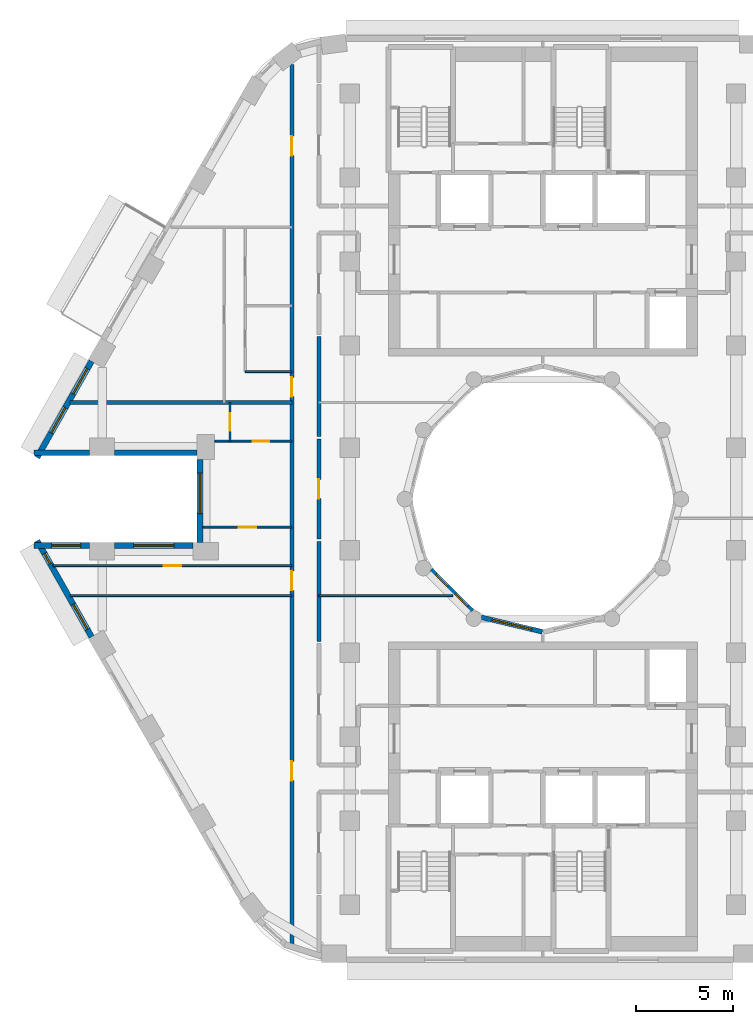
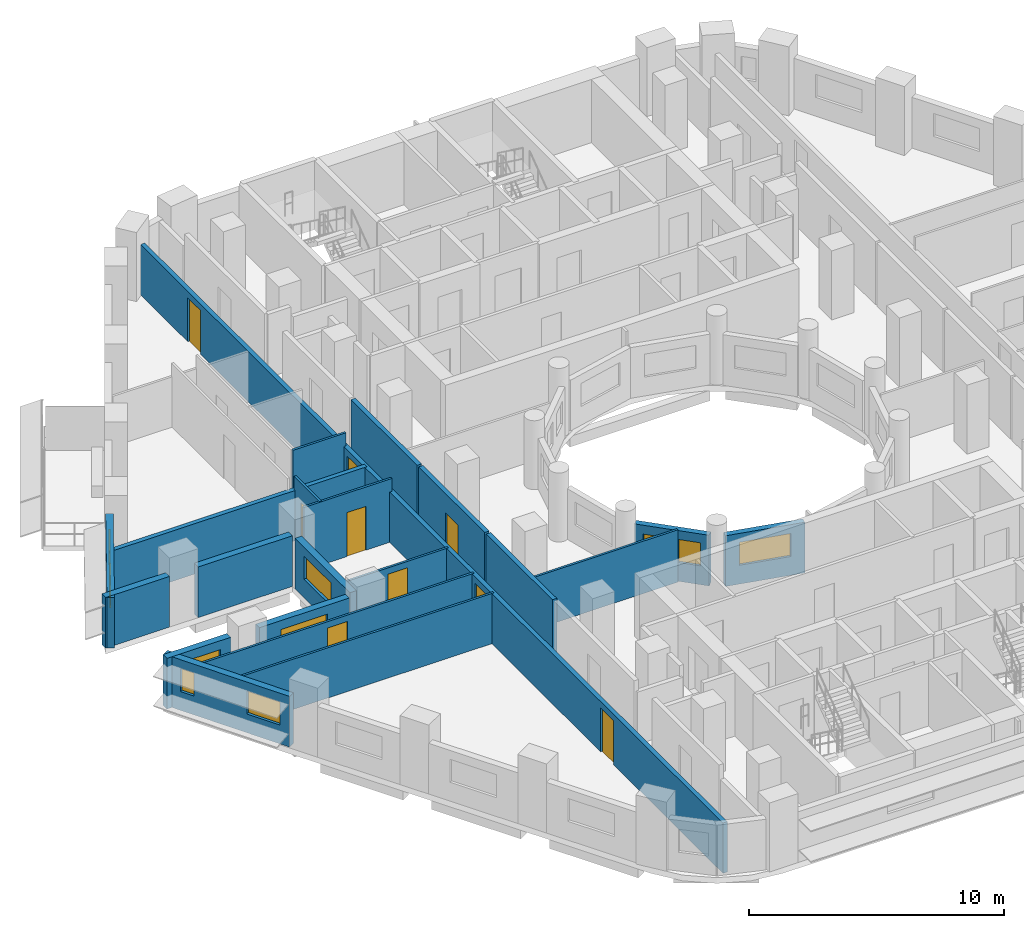
# One storey, part 4 of 13: 21 walls, 10 windows, 9 doors, 19 openings.
"""IFC4 building model written with IfcOpenShell, lengths in metres."""

import ifcopenshell
import ifcopenshell.guid

model = None  # the IFC model being written
_history = None  # IfcOwnerHistory: only IFC2X3 demands one
_inside = {}  # id of a spatial element -> (the spatial element, [elements in it])
_under = {}  # id of a project, library or spatial element -> (it, [spatial elements below it])
_declared = {}  # id of a project -> (the project, [libraries it declares])
_typed = {}  # id of a type object -> (the type object, [elements of that type])
_made_of = {}  # id of a material, layer set ... -> (it, [elements and type objects made of it])


def new_model(schema):
    """Start an empty IFC model of exactly this schema.

    Asked for "IFC4X3", IfcOpenShell would pick the latest addendum, in which some entities
    have other attributes; the version numbers below select the first issue.
    IFC2X3 requires an IfcOwnerHistory on every rooted entity: one is made here for all.
    """
    global model, _history
    if schema == "IFC4X3":
        model = ifcopenshell.file(schema_version=(4, 3, 0, 0))
    else:
        model = ifcopenshell.file(schema=schema)
    _inside.clear()
    _under.clear()
    _declared.clear()
    _typed.clear()
    _made_of.clear()
    _history = None
    if model.schema == "IFC2X3":
        org = make("IfcOrganization", Name="unknown")
        user = make(
            "IfcPersonAndOrganization",
            ThePerson=make("IfcPerson", FamilyName="unknown"),
            TheOrganization=org,
        )
        app = make(
            "IfcApplication",
            ApplicationDeveloper=org,
            Version="unknown",
            ApplicationFullName="unknown",
            ApplicationIdentifier="unknown",
        )
        _history = make(
            "IfcOwnerHistory",
            OwningUser=user,
            OwningApplication=app,
            ChangeAction="ADDED",
            CreationDate=0,
        )
    return model


def make(cls, **values):
    """One entity of the class cls with the attributes given. An attribute that is None is left unset."""
    return model.create_entity(
        cls, **{name: value for name, value in values.items() if value is not None}
    )


def rooted(cls, **values):
    """An entity with a GlobalId (a new one), such as an element, a storey or a relation."""
    return make(cls, GlobalId=ifcopenshell.guid.new(), OwnerHistory=_history, **values)


def si_unit(unit_type, name, prefix=None):
    """IfcSIUnit, for example si_unit("LENGTHUNIT", "METRE", prefix="MILLI")."""
    return make("IfcSIUnit", UnitType=unit_type, Prefix=prefix, Name=name)


def assignment(units):
    """IfcUnitAssignment: the units of a project."""
    return None if units is None else make("IfcUnitAssignment", Units=units)


def point(xyz):
    """IfcCartesianPoint."""
    return None if xyz is None else make("IfcCartesianPoint", Coordinates=xyz)


def direction(xyz):
    """IfcDirection."""
    return None if xyz is None else make("IfcDirection", DirectionRatios=xyz)


def frame(location, z_axis=None, x_axis=None):
    """IfcAxis2Placement3D, a coordinate frame: its origin and axes. An axis left out is left unset."""
    return make(
        "IfcAxis2Placement3D",
        Location=point(location),
        Axis=direction(z_axis),
        RefDirection=direction(x_axis),
    )


def frame_2d(location, x_axis=None):
    """IfcAxis2Placement2D, a coordinate frame in the plane: its origin and x axis."""
    return make(
        "IfcAxis2Placement2D", Location=point(location), RefDirection=direction(x_axis)
    )


def origin():
    """The frame at (0, 0, 0) with its axes left unset."""
    return frame((0.0, 0.0, 0.0))


def place(relative_to, where):
    """IfcLocalPlacement: puts the frame where relative to a parent placement (None: the world)."""
    return make(
        "IfcLocalPlacement", PlacementRelTo=relative_to, RelativePlacement=where
    )


def context(
    kind, dimensions, precision=None, world=None, true_north=None, identifier=None
):
    """IfcGeometricRepresentationContext, for example the 3D "Model" context."""
    return make(
        "IfcGeometricRepresentationContext",
        ContextIdentifier=identifier,
        ContextType=kind,
        CoordinateSpaceDimension=dimensions,
        Precision=precision,
        WorldCoordinateSystem=world,
        TrueNorth=true_north,
    )


def subcontext(parent, identifier, kind, view, scale=None):
    """IfcGeometricRepresentationSubContext, for example "Body" below "Model"."""
    return make(
        "IfcGeometricRepresentationSubContext",
        ContextIdentifier=identifier,
        ContextType=kind,
        ParentContext=parent,
        TargetScale=scale,
        TargetView=view,
    )


def project(units=None, contexts=None):
    """IfcProject with its units and contexts."""
    return rooted(
        "IfcProject",
        Name="project",
        RepresentationContexts=contexts,
        UnitsInContext=assignment(units),
    )


def spatial(cls, under=None, at=None, **own):
    """A site, building, storey or space (cls), placed at a placement, below another one or the project."""
    s = rooted(cls, ObjectPlacement=at, **own)
    if under is not None:
        _under.setdefault(under.id(), (under, []))[1].append(s)
    return s


def profile(cls, at=None, kind="AREA", **sizes):
    """A parametric profile (cls). Its sizes go by their IFC names, for example OverallWidth=200.0."""
    return make(cls, ProfileType=kind, Position=at, **sizes)


def rectangle(**sizes):
    """IfcRectangleProfileDef."""
    return profile("IfcRectangleProfileDef", **sizes)


def extrude(swept, where, along, depth):
    """IfcExtrudedAreaSolid: the profile swept, set in the frame where, extruded along a direction by depth."""
    return make(
        "IfcExtrudedAreaSolid",
        SweptArea=swept,
        Position=where,
        ExtrudedDirection=direction(along),
        Depth=depth,
    )


def shape(context_of_items, identifier, shape_type, items):
    """IfcShapeRepresentation: the items that make up one representation, for example the "Body"."""
    return make(
        "IfcShapeRepresentation",
        ContextOfItems=context_of_items,
        RepresentationIdentifier=identifier,
        RepresentationType=shape_type,
        Items=items,
    )


def material(Name=None, Category=None):
    """IfcMaterial."""
    return make("IfcMaterial", Name=Name, Category=Category)


def layer(
    of_material, thickness, ventilated=None, Name=None, Category=None, Priority=None
):
    """IfcMaterialLayer: one layer of a wall or slab, of a material (None: an air gap)."""
    return make(
        "IfcMaterialLayer",
        Material=of_material,
        LayerThickness=thickness,
        IsVentilated=ventilated,
        Name=Name,
        Category=Category,
        Priority=Priority,
    )


def layer_set(layers, Name=None):
    """IfcMaterialLayerSet."""
    return make("IfcMaterialLayerSet", MaterialLayers=layers, LayerSetName=Name)


def made_of(thing, what):
    """Note that an element or type object is made of a material, layer set ...; save() writes the relation."""
    if what is not None:
        _made_of.setdefault(what.id(), (what, []))[1].append(thing)
    return thing


def type_object(cls, material=None, **own):
    """A type object (cls), such as IfcWallType, which elements share."""
    return made_of(rooted(cls, **own), material)


def element(
    cls,
    number,
    at=None,
    inside=None,
    cuts=None,
    type_object=None,
    material=None,
    context=None,
    identifier="Body",
    shape_type=None,
    held_by="IfcProductDefinitionShape",
    body=None,
    shapes=None,
    **own,
):
    """One element of the class cls, such as IfcWall. Its Tag is "e" and its number.

    at: its placement. inside: the storey or other place that contains it. cuts: it is an
    opening in that element (IfcRelVoidsElement). A single representation is given by context,
    identifier, shape_type and body (its items); several are given by shapes. held_by: the class
    of the entity that holds the representations. save() writes the other relations.
    """
    e = rooted(cls, Tag="e%d" % number, ObjectPlacement=at, **own)
    if body is not None:
        shapes = [shape(context, identifier, shape_type, body)]
    if shapes is not None:
        e.Representation = make(held_by, Representations=shapes)
    if inside is not None:
        _inside.setdefault(inside.id(), (inside, []))[1].append(e)
    if cuts is not None:
        rooted(
            "IfcRelVoidsElement", RelatingBuildingElement=cuts, RelatedOpeningElement=e
        )
    if type_object is not None:
        _typed.setdefault(type_object.id(), (type_object, []))[1].append(e)
    return made_of(e, material)


def fill(opening, filler):
    """IfcRelFillsElement: the door or window that sits in an opening."""
    return rooted(
        "IfcRelFillsElement",
        RelatingOpeningElement=opening,
        RelatedBuildingElement=filler,
    )


def aggregate(whole, parts):
    """IfcRelAggregates: a whole, such as a stair, and the parts it consists of."""
    return rooted("IfcRelAggregates", RelatingObject=whole, RelatedObjects=parts)


def save(model, path):
    """Write the relations noted so far, then the file.

    IfcRelAggregates (storeys below a building ...), IfcRelContainedInSpatialStructure (elements
    in a storey), IfcRelDefinesByType, IfcRelAssociatesMaterial and IfcRelDeclares: one each for
    every whole, place, type object, material and project.
    """
    for whole, parts in _under.values():
        aggregate(whole, parts)
    for where, things in _inside.values():
        rooted(
            "IfcRelContainedInSpatialStructure",
            RelatedElements=things,
            RelatingStructure=where,
        )
    for kind, things in _typed.values():
        rooted("IfcRelDefinesByType", RelatedObjects=things, RelatingType=kind)
    for what, things in _made_of.values():
        rooted("IfcRelAssociatesMaterial", RelatedObjects=things, RelatingMaterial=what)
    for by, libraries in _declared.values():
        rooted("IfcRelDeclares", RelatingContext=by, RelatedDefinitions=libraries)
    model.write(path)


model = new_model("IFC4")

# Units and contexts
model_context = context("Model", 3, precision=1e-05, world=origin(), true_north=direction((0.0, 1.0)))
body_context = subcontext(model_context, "Body", "Model", "MODEL_VIEW")
ifc_project = project(units=[si_unit("LENGTHUNIT", "METRE"), si_unit("AREAUNIT", "SQUARE_METRE"), si_unit("VOLUMEUNIT", "CUBIC_METRE"), si_unit("PLANEANGLEUNIT", "RADIAN"), si_unit("MASSUNIT", "GRAM", prefix="KILO")], contexts=[model_context])

# Site, building, storey
site_placement = place(None, origin())
site = spatial("IfcSite", under=ifc_project, at=site_placement, CompositionType="ELEMENT")
building_placement = place(site_placement, origin())
building = spatial("IfcBuilding", under=site, at=building_placement, Name="Nakaniwa Court", CompositionType="ELEMENT")
storey_placement = place(building_placement, frame((0.0, 0.0, 156.89990234375)))
storey = spatial("IfcBuildingStorey", under=building, at=storey_placement, Name="L41", CompositionType="ELEMENT", Elevation=156.89990234375)

# Wall
ifc_material_1 = material(Name="Acoustic double stud partition")
ifc_layer_1 = layer(ifc_material_1, 0.199951171875)
ifc_layer_set_1 = layer_set([ifc_layer_1], Name="Acoustic double stud partition")
wall_type_1 = type_object("IfcWallType", Name="Acoustic double stud partition 200", PredefinedType="PARTITIONING", material=ifc_layer_set_1)
wall_1_placement = place(storey_placement, frame((68.39990234375, 72.627197265625, 0.0), z_axis=(0.0, 0.0, 1.0), x_axis=(0.0, 1.0, 0.0)))
element("IfcWall", 1, at=wall_1_placement, inside=storey, type_object=wall_type_1, Name="Partition PW-100", PredefinedType="PARTITIONING", context=body_context, shape_type="SweptSolid", body=[
    extrude(rectangle(XDim=5.185546875, YDim=0.199951171875, at=frame_2d((2.5927734375, 0.0))), origin(), (0.0, 0.0, 1.0), 3.025146484375),
])

# Wall, opening, door
wall_2_placement = place(storey_placement, frame((68.39990234375, 83.11279296875, 0.0), z_axis=(0.0, 0.0, 1.0), x_axis=(0.0, -1.0, 0.0)))
wall_2 = element("IfcWall", 2, at=wall_2_placement, inside=storey, type_object=wall_type_1, Name="Partition PW-101", PredefinedType="PARTITIONING", context=body_context, shape_type="SweptSolid", body=[
    extrude(rectangle(XDim=5.185546875, YDim=0.199951171875, at=frame_2d((2.5927734375, 0.0))), origin(), (0.0, 0.0, 1.0), 3.025146484375),
])
opening_1_placement = place(wall_2_placement, frame((2.093017578125, 0.0, 0.0)))
opening_1 = element("IfcOpeningElement", 3, at=opening_1_placement, cuts=wall_2, Name="Opening D-02-08", PredefinedType="OPENING", context=body_context, shape_type="SweptSolid", body=[
    extrude(rectangle(XDim=1.0, YDim=2.10009765625, at=frame_2d((0.5, 1.050048828125))), frame((0.0, 0.10986328125, 0.0), z_axis=(0.0, -1.0, 0.0), x_axis=(1.0, 0.0, 0.0)), (0.0, 0.0, 1.0), 0.219970703125),
])
ifc_material_2 = material(Name="Solid core timber door set, black veneer", Category="wood")
door_type_1 = type_object("IfcDoorType", Name="Internal door 1000", OperationType="NOTDEFINED", PredefinedType="DOOR", material=ifc_material_2)
door_1_placement = place(opening_1_placement, origin())
door_1 = element("IfcDoor", 4, at=door_1_placement, inside=storey, type_object=door_type_1, Name="Door D-02-08 L41-039", OperationType="SINGLE_SWING_RIGHT", OverallHeight=2.10009765625, OverallWidth=1.0, PredefinedType="DOOR", context=body_context, shape_type="SweptSolid", body=[
    extrude(rectangle(XDim=1.0, YDim=2.10009765625, at=frame_2d((0.5, 1.050048828125))), frame((0.0, 0.02490234375, 0.0), z_axis=(0.0, -1.0, 0.0), x_axis=(1.0, 0.0, 0.0)), (0.0, 0.0, 1.0), 0.050048828125),
])
fill(opening_1, door_1)

# Wall
wall_3_placement = place(storey_placement, frame((68.39990234375, 83.227294921875, 0.0), z_axis=(0.0, 0.0, 1.0), x_axis=(0.0, 1.0, 0.0)))
element("IfcWall", 5, at=wall_3_placement, inside=storey, type_object=wall_type_1, Name="Partition PW-102", PredefinedType="PARTITIONING", context=body_context, shape_type="SweptSolid", body=[
    extrude(rectangle(XDim=5.185546875, YDim=0.199951171875, at=frame_2d((2.5927734375, 0.0))), origin(), (0.0, 0.0, 1.0), 3.025146484375),
])

# Wall, openings, doors
wall_4_placement = place(storey_placement, frame((67.0, 56.833251953125, 0.0), z_axis=(0.0, 0.0, 1.0), x_axis=(0.0, 1.0, 0.0)))
wall_4 = element("IfcWall", 6, at=wall_4_placement, inside=storey, type_object=wall_type_1, Name="Partition PW-106", PredefinedType="PARTITIONING", context=body_context, shape_type="SweptSolid", body=[
    extrude(rectangle(XDim=45.660888671875, YDim=0.199951171875, at=frame_2d((22.83056640625, 0.0))), origin(), (0.0, 0.0, 1.0), 2.405029296875),
])
opening_2_placement = place(wall_4_placement, frame((8.583984375, 0.0, 0.0)))
opening_2 = element("IfcOpeningElement", 7, at=opening_2_placement, cuts=wall_4, Name="Opening D-02-06", PredefinedType="OPENING", context=body_context, shape_type="SweptSolid", body=[
    extrude(rectangle(XDim=1.0, YDim=2.10009765625, at=frame_2d((0.5, 1.050048828125))), frame((0.0, 0.10986328125, 0.0), z_axis=(0.0, -1.0, 0.0), x_axis=(1.0, 0.0, 0.0)), (0.0, 0.0, 1.0), 0.219970703125),
])
opening_3_placement = place(wall_4_placement, frame((18.44189453125, 0.0, 0.0)))
opening_3 = element("IfcOpeningElement", 8, at=opening_3_placement, cuts=wall_4, Name="Opening D-01-02", PredefinedType="OPENING", context=body_context, shape_type="SweptSolid", body=[
    extrude(rectangle(XDim=1.0, YDim=2.10009765625, at=frame_2d((0.5, 1.050048828125))), frame((0.0, 0.10986328125, 0.0), z_axis=(0.0, -1.0, 0.0), x_axis=(1.0, 0.0, 0.0)), (0.0, 0.0, 1.0), 0.219970703125),
])
opening_4_placement = place(wall_4_placement, frame((28.467041015625, 0.0, 0.0)))
opening_4 = element("IfcOpeningElement", 9, at=opening_4_placement, cuts=wall_4, Name="Opening D-01-03", PredefinedType="OPENING", context=body_context, shape_type="SweptSolid", body=[
    extrude(rectangle(XDim=1.0, YDim=2.10009765625, at=frame_2d((0.5, 1.050048828125))), frame((0.0, 0.10986328125, 0.0), z_axis=(0.0, -1.0, 0.0), x_axis=(1.0, 0.0, 0.0)), (0.0, 0.0, 1.0), 0.219970703125),
])
opening_5_placement = place(wall_4_placement, frame((40.952880859375, 0.0, 0.0)))
opening_5 = element("IfcOpeningElement", 10, at=opening_5_placement, cuts=wall_4, Name="Opening D-02-13", PredefinedType="OPENING", context=body_context, shape_type="SweptSolid", body=[
    extrude(rectangle(XDim=1.0, YDim=2.10009765625, at=frame_2d((0.5, 1.050048828125))), frame((0.0, 0.10986328125, 0.0), z_axis=(0.0, -1.0, 0.0), x_axis=(1.0, 0.0, 0.0)), (0.0, 0.0, 1.0), 0.219970703125),
])
door_type_2 = type_object("IfcDoorType", Name="Flat entrance door 1000", OperationType="NOTDEFINED", PredefinedType="DOOR", material=ifc_material_2)
door_2_placement = place(opening_3_placement, origin())
door_2 = element("IfcDoor", 11, at=door_2_placement, inside=storey, type_object=door_type_2, Name="Door D-01-02 L41-034", OperationType="SINGLE_SWING_LEFT", OverallHeight=2.10009765625, OverallWidth=1.0, PredefinedType="DOOR", context=body_context, shape_type="SweptSolid", body=[
    extrude(rectangle(XDim=1.0, YDim=2.10009765625, at=frame_2d((0.5, 1.050048828125))), frame((0.0, 0.02490234375, 0.0), z_axis=(0.0, -1.0, 0.0), x_axis=(1.0, 0.0, 0.0)), (0.0, 0.0, 1.0), 0.050048828125),
])
fill(opening_3, door_2)
door_3_placement = place(opening_4_placement, origin())
door_3 = element("IfcDoor", 12, at=door_3_placement, inside=storey, type_object=door_type_2, Name="Door D-01-03 L41-041", OperationType="SINGLE_SWING_RIGHT", OverallHeight=2.10009765625, OverallWidth=1.0, PredefinedType="DOOR", context=body_context, shape_type="SweptSolid", body=[
    extrude(rectangle(XDim=1.0, YDim=2.10009765625, at=frame_2d((0.5, 1.050048828125))), frame((0.0, 0.02490234375, 0.0), z_axis=(0.0, -1.0, 0.0), x_axis=(1.0, 0.0, 0.0)), (0.0, 0.0, 1.0), 0.050048828125),
])
fill(opening_4, door_3)
door_4_placement = place(opening_2_placement, origin())
door_4 = element("IfcDoor", 13, at=door_4_placement, inside=storey, type_object=door_type_1, Name="Door D-02-06 L41-032", OperationType="SINGLE_SWING_LEFT", OverallHeight=2.10009765625, OverallWidth=1.0, PredefinedType="DOOR", context=body_context, shape_type="SweptSolid", body=[
    extrude(rectangle(XDim=1.0, YDim=2.10009765625, at=frame_2d((0.5, 1.050048828125))), frame((0.0, 0.02490234375, 0.0), z_axis=(0.0, -1.0, 0.0), x_axis=(1.0, 0.0, 0.0)), (0.0, 0.0, 1.0), 0.050048828125),
])
fill(opening_2, door_4)
door_5_placement = place(opening_5_placement, origin())
door_5 = element("IfcDoor", 14, at=door_5_placement, inside=storey, type_object=door_type_1, Name="Door D-02-13 L41-048", OperationType="SINGLE_SWING_LEFT", OverallHeight=2.10009765625, OverallWidth=1.0, PredefinedType="DOOR", context=body_context, shape_type="SweptSolid", body=[
    extrude(rectangle(XDim=1.0, YDim=2.10009765625, at=frame_2d((0.5, 1.050048828125))), frame((0.0, 0.02490234375, 0.0), z_axis=(0.0, -1.0, 0.0), x_axis=(1.0, 0.0, 0.0)), (0.0, 0.0, 1.0), 0.050048828125),
])
fill(opening_5, door_5)

# Wall
wall_5_placement = place(storey_placement, frame((55.5205078125, 85.0, 0.0), z_axis=(0.0, 0.0, 1.0), x_axis=(1.0, 0.0, 0.0)))
element("IfcWall", 15, at=wall_5_placement, inside=storey, type_object=wall_type_1, Name="Partition PW-127", PredefinedType="PARTITIONING", context=body_context, shape_type="SweptSolid", body=[
    extrude(rectangle(XDim=11.478515625, YDim=0.199951171875, at=frame_2d((5.7392578125, 0.0))), origin(), (0.0, 0.0, 1.0), 2.405029296875),
])

# Wall, openings, windows
ifc_material_3 = material(Name="Charcoal ceramic cladding")
ifc_layer_2 = layer(ifc_material_3, 0.02, Name="Ceramic cladding")
ifc_material_4 = material(Name="Ventilated air cavity")
ifc_layer_3 = layer(ifc_material_4, 0.04, ventilated=True, Name="Ventilated cavity")
ifc_material_5 = material(Name="Mineral wool insulation")
ifc_layer_4 = layer(ifc_material_5, 0.1, Name="Insulation")
ifc_material_6 = material(Name="Cement bonded sheathing board")
ifc_layer_5 = layer(ifc_material_6, 0.012, Name="Sheathing")
ifc_material_7 = material(Name="Cold-formed galvanised stud frame with mineral wool infill")
ifc_layer_6 = layer(ifc_material_7, 0.1, Name="Stud frame")
ifc_material_8 = material(Name="Fire-rated gypsum plasterboard lining")
ifc_layer_7 = layer(ifc_material_8, 0.028, Name="Lining")
ifc_layer_set_2 = layer_set([ifc_layer_2, ifc_layer_3, ifc_layer_4, ifc_layer_5, ifc_layer_6, ifc_layer_7], Name="Charcoal ceramic faced external wall system")
wall_type_2 = type_object("IfcWallType", Name="Black ceramic faced external wall 300", PredefinedType="SOLIDWALL", material=ifc_layer_set_2)
wall_6_placement = place(storey_placement, frame((56.63427734375, 87.13720703125, 0.0), z_axis=(0.0, 0.0, 1.0), x_axis=(-0.492498306264, -0.87031340236, 0.0)))
wall_6 = element("IfcWall", 16, at=wall_6_placement, inside=storey, type_object=wall_type_2, Name="L41 external wall 14", PredefinedType="SOLIDWALL", context=body_context, shape_type="SweptSolid", body=[
    extrude(rectangle(XDim=5.7265625, YDim=0.300048828125, at=frame_2d((2.86328125, 0.0))), origin(), (0.0, 0.0, 1.0), 2.425048828125),
])
opening_6_placement = place(wall_6_placement, frame((0.4423828125, 0.0, 0.89990234375)))
opening_6 = element("IfcOpeningElement", 17, at=opening_6_placement, cuts=wall_6, Name="Opening W5.14", PredefinedType="OPENING", context=body_context, shape_type="SweptSolid", body=[
    extrude(rectangle(XDim=1.5, YDim=1.10009765625, at=frame_2d((0.75, 0.550048828125))), frame((0.0, 0.159912109375, 0.0), z_axis=(0.0, -1.0, 0.0), x_axis=(1.0, 0.0, 0.0)), (0.0, 0.0, 1.0), 0.320068359375),
])
opening_7_placement = place(wall_6_placement, frame((2.759033203125, 0.0, 0.89990234375)))
opening_7 = element("IfcOpeningElement", 18, at=opening_7_placement, cuts=wall_6, Name="Opening W5.15", PredefinedType="OPENING", context=body_context, shape_type="SweptSolid", body=[
    extrude(rectangle(XDim=1.5, YDim=1.10009765625, at=frame_2d((0.75, 0.550048828125))), frame((0.0, 0.159912109375, 0.0), z_axis=(0.0, -1.0, 0.0), x_axis=(1.0, 0.0, 0.0)), (0.0, 0.0, 1.0), 0.320068359375),
])
ifc_material_9 = material(Name="Black anodised aluminium frame with dark low-E laminated double glazing", Category="aluminium")
window_type_1 = type_object("IfcWindowType", Name="Dark glass window 1500x1100 sill 900", PartitioningType="SINGLE_PANEL", PredefinedType="WINDOW", material=ifc_material_9)
window_1_placement = place(opening_6_placement, origin())
window_1 = element("IfcWindow", 19, at=window_1_placement, inside=storey, type_object=window_type_1, Name="L41 living window 14-0", OverallHeight=1.10009765625, OverallWidth=1.5, PartitioningType="SINGLE_PANEL", PredefinedType="WINDOW", context=body_context, shape_type="SweptSolid", body=[
    extrude(rectangle(XDim=1.5, YDim=1.10009765625, at=frame_2d((0.75, 0.550048828125))), frame((0.0, 0.030029296875, 0.0), z_axis=(0.0, -1.0, 0.0), x_axis=(1.0, 0.0, 0.0)), (0.0, 0.0, 1.0), 0.06005859375),
])
fill(opening_6, window_1)
window_2_placement = place(opening_7_placement, origin())
window_2 = element("IfcWindow", 20, at=window_2_placement, inside=storey, type_object=window_type_1, Name="L41 habitable room window 14-1", OverallHeight=1.10009765625, OverallWidth=1.5, PartitioningType="SINGLE_PANEL", PredefinedType="WINDOW", context=body_context, shape_type="SweptSolid", body=[
    extrude(rectangle(XDim=1.5, YDim=1.10009765625, at=frame_2d((0.75, 0.550048828125))), frame((0.0, 0.030029296875, 0.0), z_axis=(0.0, -1.0, 0.0), x_axis=(1.0, 0.0, 0.0)), (0.0, 0.0, 1.0), 0.06005859375),
])
fill(opening_7, window_2)

# Walls
wall_7_placement = place(storey_placement, frame((53.643310546875, 82.39990234375, 0.0), z_axis=(0.0, 0.0, 1.0), x_axis=(1.0, 0.0, 0.0)))
element("IfcWall", 21, at=wall_7_placement, inside=storey, type_object=wall_type_2, Name="L41 external wall 15", PredefinedType="SOLIDWALL", context=body_context, shape_type="SweptSolid", body=[
    extrude(rectangle(XDim=2.8876953125, YDim=0.300048828125, at=frame_2d((1.44384765625, 0.0))), origin(), (0.0, 0.0, 1.0), 2.425048828125),
])
wall_8_placement = place(storey_placement, frame((57.822998046875, 82.39990234375, 0.0), z_axis=(0.0, 0.0, 1.0), x_axis=(1.0, 0.0, 0.0)))
element("IfcWall", 22, at=wall_8_placement, inside=storey, type_object=wall_type_2, Name="L41 external wall 16", PredefinedType="SOLIDWALL", context=body_context, shape_type="SweptSolid", body=[
    extrude(rectangle(XDim=4.272705078125, YDim=0.300048828125, at=frame_2d((2.13623046875, 0.0))), origin(), (0.0, 0.0, 1.0), 2.425048828125),
])

# Wall, opening, window
wall_9_placement = place(storey_placement, frame((62.24169921875, 82.053955078125, 0.0), z_axis=(0.0, 0.0, 1.0), x_axis=(0.0, -1.0, 0.0)))
wall_9 = element("IfcWall", 23, at=wall_9_placement, inside=storey, type_object=wall_type_2, Name="L41 external wall 17", PredefinedType="SOLIDWALL", context=body_context, shape_type="SweptSolid", body=[
    extrude(rectangle(XDim=4.307861328125, YDim=0.300048828125, at=frame_2d((2.15380859375, 0.0))), origin(), (0.0, 0.0, 1.0), 2.425048828125),
])
opening_8_placement = place(wall_9_placement, frame((0.71337890625, 0.0, 0.89990234375)))
opening_8 = element("IfcOpeningElement", 24, at=opening_8_placement, cuts=wall_9, Name="Opening W7.16", PredefinedType="OPENING", context=body_context, shape_type="SweptSolid", body=[
    extrude(rectangle(XDim=2.10009765625, YDim=1.10009765625, at=frame_2d((1.050048828125, 0.550048828125))), frame((0.0, 0.159912109375, 0.0), z_axis=(0.0, -1.0, 0.0), x_axis=(1.0, 0.0, 0.0)), (0.0, 0.0, 1.0), 0.320068359375),
])
window_type_2 = type_object("IfcWindowType", Name="Dark glass window 2100x1100 sill 900", PartitioningType="SINGLE_PANEL", PredefinedType="WINDOW", material=ifc_material_9)
window_3_placement = place(opening_8_placement, origin())
window_3 = element("IfcWindow", 25, at=window_3_placement, inside=storey, type_object=window_type_2, Name="L41 living window 17-0", OverallHeight=1.10009765625, OverallWidth=2.10009765625, PartitioningType="SINGLE_PANEL", PredefinedType="WINDOW", context=body_context, shape_type="SweptSolid", body=[
    extrude(rectangle(XDim=2.10009765625, YDim=1.10009765625, at=frame_2d((1.050048828125, 0.550048828125))), frame((0.0, 0.030029296875, 0.0), z_axis=(0.0, -1.0, 0.0), x_axis=(1.0, 0.0, 0.0)), (0.0, 0.0, 1.0), 0.06005859375),
])
fill(opening_8, window_3)

wall_10_placement = place(storey_placement, frame((61.8955078125, 77.60009765625, 0.0), z_axis=(0.0, 0.0, 1.0), x_axis=(-1.0, 0.0, 0.0)))
wall_10 = element("IfcWall", 26, at=wall_10_placement, inside=storey, type_object=wall_type_2, Name="L41 external wall 18", PredefinedType="SOLIDWALL", context=body_context, shape_type="SweptSolid", body=[
    extrude(rectangle(XDim=4.072509765625, YDim=0.300048828125, at=frame_2d((2.0361328125, 0.0))), origin(), (0.0, 0.0, 1.0), 2.425048828125),
])
opening_9_placement = place(wall_10_placement, frame((0.986083984375, 0.0, 0.89990234375)))
opening_9 = element("IfcOpeningElement", 27, at=opening_9_placement, cuts=wall_10, Name="Opening W7.17", PredefinedType="OPENING", context=body_context, shape_type="SweptSolid", body=[
    extrude(rectangle(XDim=2.10009765625, YDim=1.10009765625, at=frame_2d((1.050048828125, 0.550048828125))), frame((0.0, 0.159912109375, 0.0), z_axis=(0.0, -1.0, 0.0), x_axis=(1.0, 0.0, 0.0)), (0.0, 0.0, 1.0), 0.320068359375),
])
window_4_placement = place(opening_9_placement, origin())
window_4 = element("IfcWindow", 28, at=window_4_placement, inside=storey, type_object=window_type_2, Name="L41 habitable room window 18-0", OverallHeight=1.10009765625, OverallWidth=2.10009765625, PartitioningType="SINGLE_PANEL", PredefinedType="WINDOW", context=body_context, shape_type="SweptSolid", body=[
    extrude(rectangle(XDim=2.10009765625, YDim=1.10009765625, at=frame_2d((1.050048828125, 0.550048828125))), frame((0.0, 0.030029296875, 0.0), z_axis=(0.0, -1.0, 0.0), x_axis=(1.0, 0.0, 0.0)), (0.0, 0.0, 1.0), 0.06005859375),
])
fill(opening_9, window_4)

wall_11_placement = place(storey_placement, frame((56.531005859375, 77.60009765625, 0.0), z_axis=(0.0, 0.0, 1.0), x_axis=(-1.0, 0.0, 0.0)))
wall_11 = element("IfcWall", 29, at=wall_11_placement, inside=storey, type_object=wall_type_2, Name="L41 external wall 19", PredefinedType="SOLIDWALL", context=body_context, shape_type="SweptSolid", body=[
    extrude(rectangle(XDim=2.8876953125, YDim=0.300048828125, at=frame_2d((1.44384765625, 0.0))), origin(), (0.0, 0.0, 1.0), 2.425048828125),
])
opening_10_placement = place(wall_11_placement, frame((0.468994140625, 0.0, 0.89990234375)))
opening_10 = element("IfcOpeningElement", 30, at=opening_10_placement, cuts=wall_11, Name="Opening W5.18", PredefinedType="OPENING", context=body_context, shape_type="SweptSolid", body=[
    extrude(rectangle(XDim=1.5, YDim=1.10009765625, at=frame_2d((0.75, 0.550048828125))), frame((0.0, 0.159912109375, 0.0), z_axis=(0.0, -1.0, 0.0), x_axis=(1.0, 0.0, 0.0)), (0.0, 0.0, 1.0), 0.320068359375),
])
window_5_placement = place(opening_10_placement, origin())
window_5 = element("IfcWindow", 31, at=window_5_placement, inside=storey, type_object=window_type_1, Name="L41 habitable room window 19-0", OverallHeight=1.10009765625, OverallWidth=1.5, PartitioningType="SINGLE_PANEL", PredefinedType="WINDOW", context=body_context, shape_type="SweptSolid", body=[
    extrude(rectangle(XDim=1.5, YDim=1.10009765625, at=frame_2d((0.75, 0.550048828125))), frame((0.0, 0.030029296875, 0.0), z_axis=(0.0, -1.0, 0.0), x_axis=(1.0, 0.0, 0.0)), (0.0, 0.0, 1.0), 0.06005859375),
])
fill(opening_10, window_5)

# Wall, openings, windows
wall_12_placement = place(storey_placement, frame((53.81396484375, 77.8466796875, 0.0), z_axis=(0.0, 0.0, 1.0), x_axis=(0.492498306264, -0.87031340236, 0.0)))
wall_12 = element("IfcWall", 32, at=wall_12_placement, inside=storey, type_object=wall_type_2, Name="L41 external wall 20", PredefinedType="SOLIDWALL", context=body_context, shape_type="SweptSolid", body=[
    extrude(rectangle(XDim=5.7265625, YDim=0.300048828125, at=frame_2d((2.86328125, 0.0))), origin(), (0.0, 0.0, 1.0), 2.425048828125),
])
opening_11_placement = place(wall_12_placement, frame((0.76904296875, 0.0, 0.89990234375)))
opening_11 = element("IfcOpeningElement", 33, at=opening_11_placement, cuts=wall_12, Name="Opening W8.19", PredefinedType="OPENING", context=body_context, shape_type="SweptSolid", body=[
    extrude(rectangle(XDim=0.60009765625, YDim=1.10009765625, at=frame_2d((0.300048828125, 0.550048828125))), frame((0.0, 0.159912109375, 0.0), z_axis=(0.0, -1.0, 0.0), x_axis=(1.0, 0.0, 0.0)), (0.0, 0.0, 1.0), 0.320068359375),
])
opening_12_placement = place(wall_12_placement, frame((3.783935546875, 0.0, 0.89990234375)))
opening_12 = element("IfcOpeningElement", 34, at=opening_12_placement, cuts=wall_12, Name="Opening W5.20", PredefinedType="OPENING", context=body_context, shape_type="SweptSolid", body=[
    extrude(rectangle(XDim=1.5, YDim=1.10009765625, at=frame_2d((0.75, 0.550048828125))), frame((0.0, 0.159912109375, 0.0), z_axis=(0.0, -1.0, 0.0), x_axis=(1.0, 0.0, 0.0)), (0.0, 0.0, 1.0), 0.320068359375),
])
window_6_placement = place(opening_12_placement, origin())
window_6 = element("IfcWindow", 35, at=window_6_placement, inside=storey, type_object=window_type_1, Name="L41 habitable room window 20-2", OverallHeight=1.10009765625, OverallWidth=1.5, PartitioningType="SINGLE_PANEL", PredefinedType="WINDOW", context=body_context, shape_type="SweptSolid", body=[
    extrude(rectangle(XDim=1.5, YDim=1.10009765625, at=frame_2d((0.75, 0.550048828125))), frame((0.0, 0.030029296875, 0.0), z_axis=(0.0, -1.0, 0.0), x_axis=(1.0, 0.0, 0.0)), (0.0, 0.0, 1.0), 0.06005859375),
])
fill(opening_12, window_6)
window_type_3 = type_object("IfcWindowType", Name="Dark glass window 600x1100 sill 900", PartitioningType="SINGLE_PANEL", PredefinedType="WINDOW", material=ifc_material_9)
window_7_placement = place(opening_11_placement, origin())
window_7 = element("IfcWindow", 36, at=window_7_placement, inside=storey, type_object=window_type_3, Name="L41 habitable room window 20-0", OverallHeight=1.10009765625, OverallWidth=0.60009765625, PartitioningType="SINGLE_PANEL", PredefinedType="WINDOW", context=body_context, shape_type="SweptSolid", body=[
    extrude(rectangle(XDim=0.60009765625, YDim=1.10009765625, at=frame_2d((0.300048828125, 0.550048828125))), frame((0.0, 0.030029296875, 0.0), z_axis=(0.0, -1.0, 0.0), x_axis=(1.0, 0.0, 0.0)), (0.0, 0.0, 1.0), 0.06005859375),
])
fill(opening_11, window_7)

# Wall, opening, window
ifc_layer_8 = layer(ifc_material_3, 0.02, Name="Ceramic cladding")
ifc_layer_9 = layer(ifc_material_4, 0.04, ventilated=True, Name="Ventilated cavity")
ifc_layer_10 = layer(ifc_material_5, 0.075, Name="Insulation")
ifc_layer_11 = layer(ifc_material_6, 0.012, Name="Sheathing")
ifc_layer_12 = layer(ifc_material_7, 0.075, Name="Stud frame")
ifc_layer_13 = layer(ifc_material_8, 0.028, Name="Lining")
ifc_layer_set_3 = layer_set([ifc_layer_8, ifc_layer_9, ifc_layer_10, ifc_layer_11, ifc_layer_12, ifc_layer_13], Name="Charcoal ceramic faced external wall system")
wall_type_3 = type_object("IfcWallType", Name="Charcoal ceramic faced well wall 250", PredefinedType="SOLIDWALL", material=ifc_layer_set_3)
wall_13_placement = place(storey_placement, frame((79.970947265625, 73.12841796875, 0.0), z_axis=(0.0, 0.0, 1.0), x_axis=(-0.972773113459, 0.231759508395, 0.0)))
wall_13 = element("IfcWall", 37, at=wall_13_placement, inside=storey, type_object=wall_type_3, Name="L41 external wall 39", PredefinedType="SOLIDWALL", context=body_context, shape_type="SweptSolid", body=[
    extrude(rectangle(XDim=3.24560546875, YDim=0.25, at=frame_2d((1.622802734375, 0.0))), origin(), (0.0, 0.0, 1.0), 2.425048828125),
])
opening_13_placement = place(wall_13_placement, frame((0.57275390625, 0.0, 0.89990234375)))
opening_13 = element("IfcOpeningElement", 38, at=opening_13_placement, cuts=wall_13, Name="Opening W7.39", PredefinedType="OPENING", context=body_context, shape_type="SweptSolid", body=[
    extrude(rectangle(XDim=2.10009765625, YDim=1.10009765625, at=frame_2d((1.050048828125, 0.550048828125))), frame((0.0, 0.135009765625, 0.0), z_axis=(0.0, -1.0, 0.0), x_axis=(1.0, 0.0, 0.0)), (0.0, 0.0, 1.0), 0.27001953125),
])
window_8_placement = place(opening_13_placement, origin())
window_8 = element("IfcWindow", 39, at=window_8_placement, inside=storey, type_object=window_type_2, Name="L41 habitable room window 39-0", OverallHeight=1.10009765625, OverallWidth=2.10009765625, PartitioningType="SINGLE_PANEL", PredefinedType="WINDOW", context=body_context, shape_type="SweptSolid", body=[
    extrude(rectangle(XDim=2.10009765625, YDim=1.10009765625, at=frame_2d((1.050048828125, 0.550048828125))), frame((0.0, 0.030029296875, 0.0), z_axis=(0.0, -1.0, 0.0), x_axis=(1.0, 0.0, 0.0)), (0.0, 0.0, 1.0), 0.06005859375),
])
fill(opening_13, window_8)

# Wall, openings, windows
wall_14_placement = place(storey_placement, frame((76.339111328125, 74.1943359375, 0.0), z_axis=(0.0, 0.0, 1.0), x_axis=(-0.707106781187, 0.707106781187, 0.0)))
wall_14 = element("IfcWall", 40, at=wall_14_placement, inside=storey, type_object=wall_type_3, Name="L41 external wall 40", PredefinedType="SOLIDWALL", context=body_context, shape_type="SweptSolid", body=[
    extrude(rectangle(XDim=3.033203125, YDim=0.25, at=frame_2d((1.5166015625, 0.0))), origin(), (0.0, 0.0, 1.0), 2.425048828125),
])
opening_14_placement = place(wall_14_placement, frame((0.34521484375, 0.0, 0.89990234375)))
opening_14 = element("IfcOpeningElement", 41, at=opening_14_placement, cuts=wall_14, Name="Opening W9.40", PredefinedType="OPENING", context=body_context, shape_type="SweptSolid", body=[
    extrude(rectangle(XDim=0.89990234375, YDim=1.10009765625, at=frame_2d((0.449951171875, 0.550048828125))), frame((0.0, 0.135009765625, 0.0), z_axis=(0.0, -1.0, 0.0), x_axis=(1.0, 0.0, 0.0)), (0.0, 0.0, 1.0), 0.27001953125),
])
opening_15_placement = place(wall_14_placement, frame((1.780029296875, 0.0, 0.89990234375)))
opening_15 = element("IfcOpeningElement", 42, at=opening_15_placement, cuts=wall_14, Name="Opening W9.41", PredefinedType="OPENING", context=body_context, shape_type="SweptSolid", body=[
    extrude(rectangle(XDim=0.89990234375, YDim=1.10009765625, at=frame_2d((0.449951171875, 0.550048828125))), frame((0.0, 0.135009765625, 0.0), z_axis=(0.0, -1.0, 0.0), x_axis=(1.0, 0.0, 0.0)), (0.0, 0.0, 1.0), 0.27001953125),
])
window_type_4 = type_object("IfcWindowType", Name="Dark glass window 900x1100 sill 900", PartitioningType="SINGLE_PANEL", PredefinedType="WINDOW", material=ifc_material_9)
window_9_placement = place(opening_14_placement, origin())
window_9 = element("IfcWindow", 43, at=window_9_placement, inside=storey, type_object=window_type_4, Name="L41 habitable room window 40-0", OverallHeight=1.10009765625, OverallWidth=0.89990234375, PartitioningType="SINGLE_PANEL", PredefinedType="WINDOW", context=body_context, shape_type="SweptSolid", body=[
    extrude(rectangle(XDim=0.89990234375, YDim=1.10009765625, at=frame_2d((0.449951171875, 0.550048828125))), frame((0.0, 0.030029296875, 0.0), z_axis=(0.0, -1.0, 0.0), x_axis=(1.0, 0.0, 0.0)), (0.0, 0.0, 1.0), 0.06005859375),
])
fill(opening_14, window_9)
window_10_placement = place(opening_15_placement, origin())
window_10 = element("IfcWindow", 44, at=window_10_placement, inside=storey, type_object=window_type_4, Name="L41 habitable room window 40-1", OverallHeight=1.10009765625, OverallWidth=0.89990234375, PartitioningType="SINGLE_PANEL", PredefinedType="WINDOW", context=body_context, shape_type="SweptSolid", body=[
    extrude(rectangle(XDim=0.89990234375, YDim=1.10009765625, at=frame_2d((0.449951171875, 0.550048828125))), frame((0.0, 0.030029296875, 0.0), z_axis=(0.0, -1.0, 0.0), x_axis=(1.0, 0.0, 0.0)), (0.0, 0.0, 1.0), 0.06005859375),
])
fill(opening_15, window_10)

# Walls
ifc_material_10 = material(Name="Single stud plasterboard partition")
ifc_layer_14 = layer(ifc_material_10, 0.10009765625)
ifc_layer_set_4 = layer_set([ifc_layer_14], Name="Single stud plasterboard partition")
wall_type_4 = type_object("IfcWallType", Name="Single stud plasterboard partition 100", PredefinedType="PARTITIONING", material=ifc_layer_set_4)
wall_15_placement = place(storey_placement, frame((55.5205078125, 75.0, 0.0), z_axis=(0.0, 0.0, 1.0), x_axis=(1.0, 0.0, 0.0)))
element("IfcWall", 45, at=wall_15_placement, inside=storey, type_object=wall_type_4, Name="Partition PW-121", PredefinedType="PARTITIONING", context=body_context, shape_type="SweptSolid", body=[
    extrude(rectangle(XDim=11.478515625, YDim=0.10009765625, at=frame_2d((5.7392578125, 0.0))), origin(), (0.0, 0.0, 1.0), 2.405029296875),
])
wall_16_placement = place(storey_placement, frame((68.40087890625, 75.0, 0.0), z_axis=(0.0, 0.0, 1.0), x_axis=(1.0, 0.0, 0.0)))
element("IfcWall", 46, at=wall_16_placement, inside=storey, type_object=wall_type_4, Name="Partition PW-122", PredefinedType="PARTITIONING", context=body_context, shape_type="SweptSolid", body=[
    extrude(rectangle(XDim=6.92578125, YDim=0.10009765625, at=frame_2d((3.462890625, 0.0))), origin(), (0.0, 0.0, 1.0), 2.505126953125),
])

# Wall, opening, door
wall_17_placement = place(storey_placement, frame((54.62548828125, 76.550048828125, 0.0), z_axis=(0.0, 0.0, 1.0), x_axis=(1.0, 0.0, 0.0)))
wall_17 = element("IfcWall", 47, at=wall_17_placement, inside=storey, type_object=wall_type_4, Name="Partition PW-123", PredefinedType="PARTITIONING", context=body_context, shape_type="SweptSolid", body=[
    extrude(rectangle(XDim=12.37353515625, YDim=0.10009765625, at=frame_2d((6.186767578125, 0.0))), origin(), (0.0, 0.0, 1.0), 2.405029296875),
])
opening_16_placement = place(wall_17_placement, frame((5.737060546875, 0.0, 0.0)))
opening_16 = element("IfcOpeningElement", 48, at=opening_16_placement, cuts=wall_17, Name="Opening D-33-03", PredefinedType="OPENING", context=body_context, shape_type="SweptSolid", body=[
    extrude(rectangle(XDim=0.89990234375, YDim=2.10009765625, at=frame_2d((0.449951171875, 1.050048828125))), frame((0.0, 0.06005859375, 0.0), z_axis=(0.0, -1.0, 0.0), x_axis=(1.0, 0.0, 0.0)), (0.0, 0.0, 1.0), 0.1201171875),
])
door_type_3 = type_object("IfcDoorType", Name="Internal door 900", OperationType="NOTDEFINED", PredefinedType="DOOR", material=ifc_material_2)
door_6_placement = place(opening_16_placement, origin())
door_6 = element("IfcDoor", 49, at=door_6_placement, inside=storey, type_object=door_type_3, Name="Door D-33-03 L41-035", OperationType="SINGLE_SWING_RIGHT", OverallHeight=2.10009765625, OverallWidth=0.89990234375, PredefinedType="DOOR", context=body_context, shape_type="SweptSolid", body=[
    extrude(rectangle(XDim=0.89990234375, YDim=2.10009765625, at=frame_2d((0.449951171875, 1.050048828125))), frame((0.0, 0.02490234375, 0.0), z_axis=(0.0, -1.0, 0.0), x_axis=(1.0, 0.0, 0.0)), (0.0, 0.0, 1.0), 0.050048828125),
])
fill(opening_16, door_6)

wall_18_placement = place(storey_placement, frame((62.3916015625, 78.551025390625, 0.0), z_axis=(0.0, 0.0, 1.0), x_axis=(1.0, 0.0, 0.0)))
wall_18 = element("IfcWall", 50, at=wall_18_placement, inside=storey, type_object=wall_type_4, Name="Partition PW-124", PredefinedType="PARTITIONING", context=body_context, shape_type="SweptSolid", body=[
    extrude(rectangle(XDim=4.607421875, YDim=0.10009765625, at=frame_2d((2.3037109375, 0.0))), origin(), (0.0, 0.0, 1.0), 2.405029296875),
])
opening_17_placement = place(wall_18_placement, frame((1.85400390625, 0.0, 0.0)))
opening_17 = element("IfcOpeningElement", 51, at=opening_17_placement, cuts=wall_18, Name="Opening D-33-04", PredefinedType="OPENING", context=body_context, shape_type="SweptSolid", body=[
    extrude(rectangle(XDim=0.89990234375, YDim=2.10009765625, at=frame_2d((0.449951171875, 1.050048828125))), frame((0.0, 0.06005859375, 0.0), z_axis=(0.0, -1.0, 0.0), x_axis=(1.0, 0.0, 0.0)), (0.0, 0.0, 1.0), 0.1201171875),
])
door_7_placement = place(opening_17_placement, origin())
door_7 = element("IfcDoor", 52, at=door_7_placement, inside=storey, type_object=door_type_3, Name="Door D-33-04 L41-036", OperationType="SINGLE_SWING_LEFT", OverallHeight=2.10009765625, OverallWidth=0.89990234375, PredefinedType="DOOR", context=body_context, shape_type="SweptSolid", body=[
    extrude(rectangle(XDim=0.89990234375, YDim=2.10009765625, at=frame_2d((0.449951171875, 1.050048828125))), frame((0.0, 0.02490234375, 0.0), z_axis=(0.0, -1.0, 0.0), x_axis=(1.0, 0.0, 0.0)), (0.0, 0.0, 1.0), 0.050048828125),
])
fill(opening_17, door_7)

wall_19_placement = place(storey_placement, frame((63.01171875, 82.9990234375, 0.0), z_axis=(0.0, 0.0, 1.0), x_axis=(1.0, 0.0, 0.0)))
wall_19 = element("IfcWall", 53, at=wall_19_placement, inside=storey, type_object=wall_type_4, Name="Partition PW-125", PredefinedType="PARTITIONING", context=body_context, shape_type="SweptSolid", body=[
    extrude(rectangle(XDim=3.9873046875, YDim=0.10009765625, at=frame_2d((1.99365234375, 0.0))), origin(), (0.0, 0.0, 1.0), 3.025146484375),
])
opening_18_placement = place(wall_19_placement, frame((1.9619140625, 0.0, 0.0)))
opening_18 = element("IfcOpeningElement", 54, at=opening_18_placement, cuts=wall_19, Name="Opening D-03-02", PredefinedType="OPENING", context=body_context, shape_type="SweptSolid", body=[
    extrude(rectangle(XDim=0.85009765625, YDim=2.10009765625, at=frame_2d((0.425048828125, 1.050048828125))), frame((0.0, 0.06005859375, 0.0), z_axis=(0.0, -1.0, 0.0), x_axis=(1.0, 0.0, 0.0)), (0.0, 0.0, 1.0), 0.1201171875),
])
ifc_material_11 = material(Name="Moisture sealed timber door set", Category="wood")
door_type_4 = type_object("IfcDoorType", Name="Bathroom door 850", OperationType="NOTDEFINED", PredefinedType="DOOR", material=ifc_material_11)
door_8_placement = place(opening_18_placement, origin())
door_8 = element("IfcDoor", 55, at=door_8_placement, inside=storey, type_object=door_type_4, Name="Door D-03-02 L41-037", OperationType="SINGLE_SWING_RIGHT", OverallHeight=2.10009765625, OverallWidth=0.85009765625, PredefinedType="DOOR", context=body_context, shape_type="SweptSolid", body=[
    extrude(rectangle(XDim=0.85009765625, YDim=2.10009765625, at=frame_2d((0.425048828125, 1.050048828125))), frame((0.0, 0.02490234375, 0.0), z_axis=(0.0, -1.0, 0.0), x_axis=(1.0, 0.0, 0.0)), (0.0, 0.0, 1.0), 0.050048828125),
])
fill(opening_18, door_8)

wall_20_placement = place(storey_placement, frame((63.799072265625, 82.998779296875, 0.0), z_axis=(0.0, 0.0, 1.0), x_axis=(0.0, 1.0, 0.0)))
wall_20 = element("IfcWall", 56, at=wall_20_placement, inside=storey, type_object=wall_type_4, Name="Partition PW-126", PredefinedType="PARTITIONING", context=body_context, shape_type="SweptSolid", body=[
    extrude(rectangle(XDim=2.001220703125, YDim=0.10009765625, at=frame_2d((1.00048828125, 0.0))), origin(), (0.0, 0.0, 1.0), 3.025146484375),
])
opening_19_placement = place(wall_20_placement, frame((0.551025390625, 0.0, 0.0)))
opening_19 = element("IfcOpeningElement", 57, at=opening_19_placement, cuts=wall_20, Name="Opening D-33-05", PredefinedType="OPENING", context=body_context, shape_type="SweptSolid", body=[
    extrude(rectangle(XDim=0.89990234375, YDim=2.10009765625, at=frame_2d((0.449951171875, 1.050048828125))), frame((0.0, 0.06005859375, 0.0), z_axis=(0.0, -1.0, 0.0), x_axis=(1.0, 0.0, 0.0)), (0.0, 0.0, 1.0), 0.1201171875),
])
door_9_placement = place(opening_19_placement, origin())
door_9 = element("IfcDoor", 58, at=door_9_placement, inside=storey, type_object=door_type_3, Name="Door D-33-05 L41-038", OperationType="SINGLE_SWING_LEFT", OverallHeight=2.10009765625, OverallWidth=0.89990234375, PredefinedType="DOOR", context=body_context, shape_type="SweptSolid", body=[
    extrude(rectangle(XDim=0.89990234375, YDim=2.10009765625, at=frame_2d((0.449951171875, 1.050048828125))), frame((0.0, 0.02490234375, 0.0), z_axis=(0.0, -1.0, 0.0), x_axis=(1.0, 0.0, 0.0)), (0.0, 0.0, 1.0), 0.050048828125),
])
fill(opening_19, door_9)

# Wall
wall_21_placement = place(storey_placement, frame((64.59912109375, 86.60009765625, 0.0), z_axis=(0.0, 0.0, 1.0), x_axis=(1.0, 0.0, 0.0)))
element("IfcWall", 59, at=wall_21_placement, inside=storey, type_object=wall_type_4, Name="Partition PW-131", PredefinedType="PARTITIONING", context=body_context, shape_type="SweptSolid", body=[
    extrude(rectangle(XDim=2.39990234375, YDim=0.10009765625, at=frame_2d((1.199951171875, 0.0))), origin(), (0.0, 0.0, 1.0), 3.025146484375),
])

save(model, "model.ifc")
